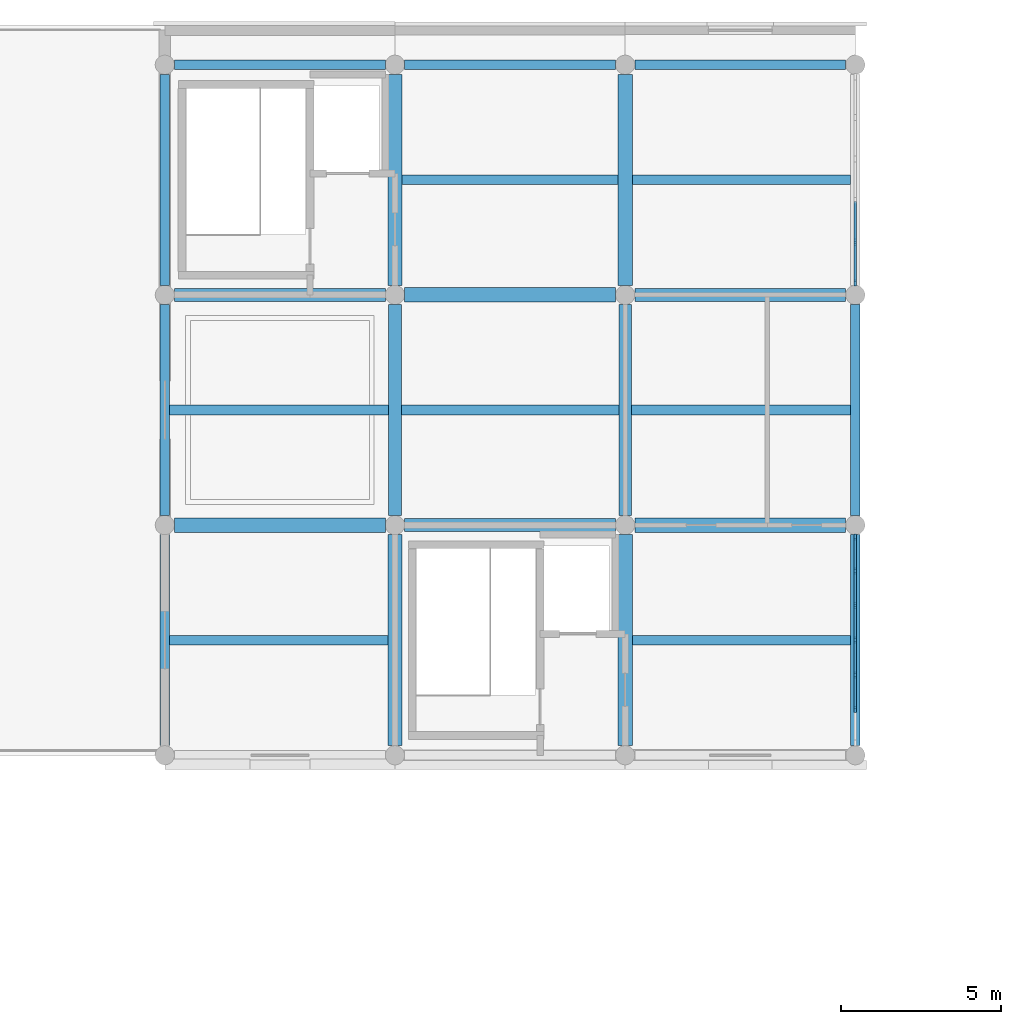
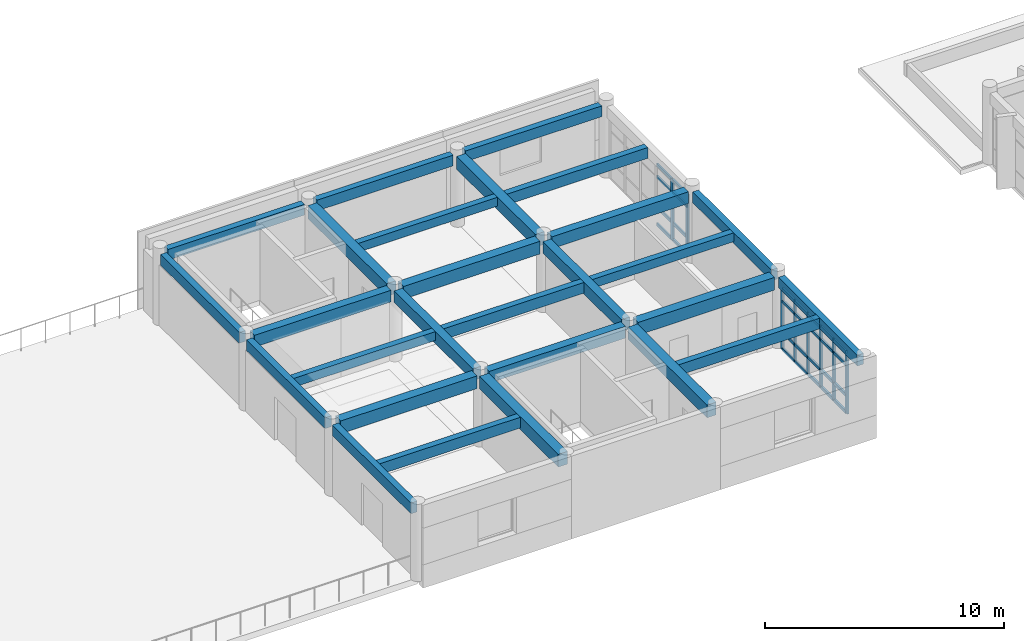
# One storey, part 4 of 16: 36 members, 27 beams, 2 elements without a shape of their own.
"""IFC4 building model written with IfcOpenShell, lengths in metres."""

from ifc_helpers import new_model, si_unit, direction, frame, origin, origin_2d, place, context, subcontext, project, spatial, rectangle, extrude, material, layer, layer_set, material_profile, profile_set, type_object, element, aggregate, save


model = new_model("IFC4")

# Units and contexts
model_context = context("Model", 3, precision=1e-05, world=origin(), true_north=direction((0.0, 1.0)))
body_context = subcontext(model_context, "Body", "Model", "MODEL_VIEW")
ifc_project = project(units=[si_unit("LENGTHUNIT", "METRE"), si_unit("AREAUNIT", "SQUARE_METRE"), si_unit("VOLUMEUNIT", "CUBIC_METRE"), si_unit("PLANEANGLEUNIT", "RADIAN"), si_unit("MASSUNIT", "GRAM", prefix="KILO")], contexts=[model_context])

# Site, building, storey
site_placement = place(None, origin())
site = spatial("IfcSite", under=ifc_project, at=site_placement, CompositionType="ELEMENT")
building_placement = place(site_placement, origin())
building = spatial("IfcBuilding", under=site, at=building_placement, Name="Kavelor Marine Aquarium", CompositionType="ELEMENT")
storey_placement = place(building_placement, frame((0.0, 0.0, 21.60009765625)))
storey = spatial("IfcBuildingStorey", under=building, at=storey_placement, Name="L05", CompositionType="ELEMENT", Elevation=21.60009765625)

# Beams
ifc_material_1 = material(Name="Concrete C40/50", Category="concrete")
ifc_material_profile_1 = material_profile(ifc_material_1, rectangle(XDim=0.449951171875, YDim=0.64990234375, at=origin_2d()), Name="RC-BM 450x650")
ifc_profile_set_1 = profile_set([ifc_material_profile_1], Name="Concrete C40/50")
beam_type_1 = type_object("IfcBeamType", Name="BM-B3", PredefinedType="BEAM", material=ifc_profile_set_1)
for number, where, z_axis, x_axis, name in (
    (1, (82.699951171875, 96.39990234375, 3.35498046875), (1.0, 0.0, 0.0), (0.0, 1.0, 0.0), "bm:x:L05:RF:11_13"),
    (2, (89.89990234375, 103.60009765625, 3.35498046875), (1.0, 0.0, 0.0), (0.0, 1.0, 0.0), "bm:x:L05:RF:12_14"),
):
    element("IfcBeam", number, at=place(storey_placement, frame(where, z_axis=z_axis, x_axis=x_axis)), inside=storey, type_object=beam_type_1, Name=name, PredefinedType="BEAM", context=body_context, shape_type="SweptSolid", body=[
        extrude(rectangle(XDim=0.449951171875, YDim=0.64990234375, at=origin_2d()), origin(), (0.0, 0.0, 1.0), 6.60009765625),
    ])
beam_1_placement = place(storey_placement, frame((97.10009765625, 96.39990234375, 3.35498046875), z_axis=(1.0, 0.0, 0.0), x_axis=(0.0, 1.0, 0.0)))
element("IfcBeam", 3, at=beam_1_placement, inside=storey, type_object=beam_type_1, Name="bm:x:L05:RF:13_13", PredefinedType="BEAM", context=body_context, shape_type="SweptSolid", body=[
    extrude(rectangle(XDim=0.449951171875, YDim=0.64990234375, at=origin_2d()), origin(), (0.0, 0.0, 1.0), 6.599853515625),
])
for number, where, z_axis, x_axis, name in (
    (4, (89.60009765625, 89.5, 3.35498046875), (0.0, 1.0, 0.0), (-1.0, 0.0, 0.0), "bm:y:L05:RF:12_12"),
    (5, (89.60009765625, 103.89990234375, 3.35498046875), (0.0, 1.0, 0.0), (-1.0, 0.0, 0.0), "bm:y:L05:RF:12_14"),
    (6, (96.800048828125, 89.5, 3.35498046875), (0.0, 1.0, 0.0), (-1.0, 0.0, 0.0), "bm:y:L05:RF:13_12"),
    (7, (96.800048828125, 103.89990234375, 3.35498046875), (0.0, 1.0, 0.0), (-1.0, 0.0, 0.0), "bm:y:L05:RF:13_14"),
):
    element("IfcBeam", number, at=place(storey_placement, frame(where, z_axis=z_axis, x_axis=x_axis)), inside=storey, type_object=beam_type_1, Name=name, PredefinedType="BEAM", context=body_context, shape_type="SweptSolid", body=[
        extrude(rectangle(XDim=0.449951171875, YDim=0.64990234375, at=origin_2d()), origin(), (0.0, 0.0, 1.0), 6.60009765625),
    ])
ifc_material_2 = material(Name="Concrete C40/50", Category="concrete")
ifc_material_profile_2 = material_profile(ifc_material_2, rectangle(XDim=0.39990234375, YDim=0.60009765625, at=origin_2d()), Name="RC-BM 400x600")
ifc_profile_set_2 = profile_set([ifc_material_profile_2], Name="Concrete C40/50")
beam_type_2 = type_object("IfcBeamType", Name="BM-B4", PredefinedType="BEAM", material=ifc_profile_set_2)
for number, where, z_axis, x_axis, name in (
    (8, (82.699951171875, 103.60009765625, 3.3798828125), (1.0, 0.0, 0.0), (0.0, 1.0, 0.0), "bm:x:L05:RF:11_14"),
    (9, (89.89990234375, 96.39990234375, 3.3798828125), (1.0, 0.0, 0.0), (0.0, 1.0, 0.0), "bm:x:L05:RF:12_13"),
):
    element("IfcBeam", number, at=place(storey_placement, frame(where, z_axis=z_axis, x_axis=x_axis)), inside=storey, type_object=beam_type_2, Name=name, PredefinedType="BEAM", context=body_context, shape_type="SweptSolid", body=[
        extrude(rectangle(XDim=0.39990234375, YDim=0.60009765625, at=origin_2d()), origin(), (0.0, 0.0, 1.0), 6.60009765625),
    ])
beam_2_placement = place(storey_placement, frame((97.10009765625, 103.60009765625, 3.3798828125), z_axis=(1.0, 0.0, 0.0), x_axis=(0.0, 1.0, 0.0)))
element("IfcBeam", 10, at=beam_2_placement, inside=storey, type_object=beam_type_2, Name="bm:x:L05:RF:13_14", PredefinedType="BEAM", context=body_context, shape_type="SweptSolid", body=[
    extrude(rectangle(XDim=0.39990234375, YDim=0.60009765625, at=origin_2d()), origin(), (0.0, 0.0, 1.0), 6.599853515625),
])
for number, where, z_axis, x_axis, name in (
    (11, (89.60009765625, 96.699951171875, 3.3798828125), (0.0, 1.0, 0.0), (-1.0, 0.0, 0.0), "bm:y:L05:RF:12_13"),
    (12, (96.800048828125, 96.699951171875, 3.3798828125), (0.0, 1.0, 0.0), (-1.0, 0.0, 0.0), "bm:y:L05:RF:13_13"),
):
    element("IfcBeam", number, at=place(storey_placement, frame(where, z_axis=z_axis, x_axis=x_axis)), inside=storey, type_object=beam_type_2, Name=name, PredefinedType="BEAM", context=body_context, shape_type="SweptSolid", body=[
        extrude(rectangle(XDim=0.39990234375, YDim=0.60009765625, at=origin_2d()), origin(), (0.0, 0.0, 1.0), 6.60009765625),
    ])
ifc_material_3 = material(Name="Concrete C40/50", Category="concrete")
ifc_material_profile_3 = material_profile(ifc_material_3, rectangle(XDim=0.300048828125, YDim=0.449951171875, at=origin_2d()), Name="RC-JS 300x450")
ifc_profile_set_3 = profile_set([ifc_material_profile_3], Name="Concrete C40/50")
beam_type_3 = type_object("IfcBeamType", Name="BM-JS1", PredefinedType="JOIST", material=ifc_profile_set_3)
beam_3_placement = place(storey_placement, frame((82.550048828125, 100.0, 3.454833984375), z_axis=(1.0, 0.0, 0.0), x_axis=(0.0, 1.0, 0.0)))
element("IfcBeam", 13, at=beam_3_placement, inside=storey, type_object=beam_type_3, Name="js:L05:RF:11_13", PredefinedType="JOIST", context=body_context, shape_type="SweptSolid", body=[
    extrude(rectangle(XDim=0.300048828125, YDim=0.449951171875, at=origin_2d()), origin(), (0.0, 0.0, 1.0), 6.849853515625),
])
beam_4_placement = place(storey_placement, frame((89.824951171875, 107.199951171875, 3.454833984375), z_axis=(1.0, 0.0, 0.0), x_axis=(0.0, 1.0, 0.0)))
element("IfcBeam", 14, at=beam_4_placement, inside=storey, type_object=beam_type_3, Name="js:L05:RF:12_14", PredefinedType="JOIST", context=body_context, shape_type="SweptSolid", body=[
    extrude(rectangle(XDim=0.300048828125, YDim=0.449951171875, at=origin_2d()), origin(), (0.0, 0.0, 1.0), 6.75),
])
beam_5_placement = place(storey_placement, frame((97.0, 100.0, 3.454833984375), z_axis=(1.0, 0.0, 0.0), x_axis=(0.0, 1.0, 0.0)))
element("IfcBeam", 15, at=beam_5_placement, inside=storey, type_object=beam_type_3, Name="js:L05:RF:13_13", PredefinedType="JOIST", context=body_context, shape_type="SweptSolid", body=[
    extrude(rectangle(XDim=0.300048828125, YDim=0.449951171875, at=origin_2d()), origin(), (0.0, 0.0, 1.0), 6.85009765625),
])
ifc_material_4 = material(Name="Concrete C40/50", Category="concrete")
ifc_material_profile_4 = material_profile(ifc_material_4, rectangle(XDim=0.300048828125, YDim=0.550048828125, at=origin_2d()), Name="RC-JS 300x550")
ifc_profile_set_4 = profile_set([ifc_material_profile_4], Name="Concrete C40/50")
beam_type_4 = type_object("IfcBeamType", Name="BM-JS2", PredefinedType="JOIST", material=ifc_profile_set_4)
beam_6_placement = place(storey_placement, frame((82.550048828125, 92.800048828125, 3.40478515625), z_axis=(1.0, 0.0, 0.0), x_axis=(0.0, 1.0, 0.0)))
element("IfcBeam", 16, at=beam_6_placement, inside=storey, type_object=beam_type_4, Name="js:L05:RF:11_12", PredefinedType="JOIST", context=body_context, shape_type="SweptSolid", body=[
    extrude(rectangle(XDim=0.300048828125, YDim=0.550048828125, at=origin_2d()), origin(), (0.0, 0.0, 1.0), 6.824951171875),
])
beam_7_placement = place(storey_placement, frame((89.800048828125, 100.0, 3.40478515625), z_axis=(1.0, 0.0, 0.0), x_axis=(0.0, 1.0, 0.0)))
element("IfcBeam", 17, at=beam_7_placement, inside=storey, type_object=beam_type_4, Name="js:L05:RF:12_13", PredefinedType="JOIST", context=body_context, shape_type="SweptSolid", body=[
    extrude(rectangle(XDim=0.300048828125, YDim=0.550048828125, at=origin_2d()), origin(), (0.0, 0.0, 1.0), 6.800048828125),
])
for number, where, z_axis, x_axis, name in (
    (18, (97.02490234375, 92.800048828125, 3.40478515625), (1.0, 0.0, 0.0), (0.0, 1.0, 0.0), "js:L05:RF:13_12"),
    (19, (97.02490234375, 107.199951171875, 3.40478515625), (1.0, 0.0, 0.0), (0.0, 1.0, 0.0), "js:L05:RF:13_14"),
):
    element("IfcBeam", number, at=place(storey_placement, frame(where, z_axis=z_axis, x_axis=x_axis)), inside=storey, type_object=beam_type_4, Name=name, PredefinedType="JOIST", context=body_context, shape_type="SweptSolid", body=[
        extrude(rectangle(XDim=0.300048828125, YDim=0.550048828125, at=origin_2d()), origin(), (0.0, 0.0, 1.0), 6.8251953125),
    ])
ifc_material_5 = material(Name="Concrete C40/50", Category="concrete")
ifc_material_profile_5 = material_profile(ifc_material_5, rectangle(XDim=0.300048828125, YDim=0.550048828125, at=origin_2d()), Name="RC-SP 300x550")
ifc_profile_set_5 = profile_set([ifc_material_profile_5], Name="Concrete C40/50")
beam_type_5 = type_object("IfcBeamType", Name="BM-SP2", PredefinedType="SPANDREL", material=ifc_profile_set_5)
for number, where, z_axis, x_axis, name in (
    (20, (82.699951171875, 110.800048828125, 3.40478515625), (1.0, 0.0, 0.0), (0.0, 1.0, 0.0), "bm:x:L05:RF:11_15"),
    (21, (89.89990234375, 110.800048828125, 3.40478515625), (1.0, 0.0, 0.0), (0.0, 1.0, 0.0), "bm:x:L05:RF:12_15"),
):
    element("IfcBeam", number, at=place(storey_placement, frame(where, z_axis=z_axis, x_axis=x_axis)), inside=storey, type_object=beam_type_5, Name=name, PredefinedType="SPANDREL", context=body_context, shape_type="SweptSolid", body=[
        extrude(rectangle(XDim=0.300048828125, YDim=0.550048828125, at=origin_2d()), origin(), (0.0, 0.0, 1.0), 6.60009765625),
    ])
beam_8_placement = place(storey_placement, frame((97.10009765625, 110.800048828125, 3.40478515625), z_axis=(1.0, 0.0, 0.0), x_axis=(0.0, 1.0, 0.0)))
element("IfcBeam", 22, at=beam_8_placement, inside=storey, type_object=beam_type_5, Name="bm:x:L05:RF:13_15", PredefinedType="SPANDREL", context=body_context, shape_type="SweptSolid", body=[
    extrude(rectangle(XDim=0.300048828125, YDim=0.550048828125, at=origin_2d()), origin(), (0.0, 0.0, 1.0), 6.599853515625),
])
for number, where, z_axis, x_axis, name in (
    (23, (82.39990234375, 89.5, 3.40478515625), (0.0, 1.0, 0.0), (-1.0, 0.0, 0.0), "bm:y:L05:RF:11_12"),
    (24, (82.39990234375, 96.699951171875, 3.40478515625), (0.0, 1.0, 0.0), (-1.0, 0.0, 0.0), "bm:y:L05:RF:11_13"),
    (25, (82.39990234375, 103.89990234375, 3.40478515625), (0.0, 1.0, 0.0), (-1.0, 0.0, 0.0), "bm:y:L05:RF:11_14"),
    (26, (104.0, 89.5, 3.40478515625), (0.0, 1.0, 0.0), (-1.0, 0.0, 0.0), "bm:y:L05:RF:14_12"),
    (27, (104.0, 96.699951171875, 3.40478515625), (0.0, 1.0, 0.0), (-1.0, 0.0, 0.0), "bm:y:L05:RF:14_13"),
):
    element("IfcBeam", number, at=place(storey_placement, frame(where, z_axis=z_axis, x_axis=x_axis)), inside=storey, type_object=beam_type_5, Name=name, PredefinedType="SPANDREL", context=body_context, shape_type="SweptSolid", body=[
        extrude(rectangle(XDim=0.300048828125, YDim=0.550048828125, at=origin_2d()), origin(), (0.0, 0.0, 1.0), 6.60009765625),
    ])

# Curtain wall, members
ifc_material_6 = material(Name="Thermally Broken Aluminium and Low-E Glass", Category="aluminium")
ifc_layer_1 = layer(ifc_material_6, 0.179931640625)
ifc_layer_set_1 = layer_set([ifc_layer_1], Name="CW-SYS5")
curtain_wall_type_1 = type_object("IfcCurtainWallType", Name="CW-SYS5", PredefinedType="USERDEFINED", material=ifc_layer_set_1)
curtain_wall_1_placement = place(storey_placement, origin())
curtain_wall_1 = element("IfcCurtainWall", 28, at=curtain_wall_1_placement, inside=storey, type_object=curtain_wall_type_1, Name="cw:y:L05:14_12", ObjectType="Curtain Wall", PredefinedType="USERDEFINED")
ifc_material_7 = material(Name="Anodised Aluminium Alloy 6063-T6", Category="aluminium")
ifc_material_profile_6 = material_profile(ifc_material_7, rectangle(XDim=0.080078125, YDim=0.18505859375, at=origin_2d()), Name="CW-MUL 80x185")
ifc_profile_set_6 = profile_set([ifc_material_profile_6], Name="Anodised Aluminium Alloy 6063-T6")
member_type_1 = type_object("IfcMemberType", Name="CWM-2", PredefinedType="MULLION", material=ifc_profile_set_6)
member_1_placement = place(storey_placement, frame((104.0, 90.6298828125, 0.0), z_axis=(0.0, 0.0, 1.0), x_axis=(-1.0, 0.0, 0.0)))
member_1 = element("IfcMember", 29, at=member_1_placement, type_object=member_type_1, Name="CW05 mullion 2", PredefinedType="MULLION", context=body_context, shape_type="SweptSolid", body=[
    extrude(rectangle(XDim=0.080078125, YDim=0.18505859375, at=origin_2d()), origin(), (0.0, 0.0, 1.0), 3.119873046875),
])
member_2_placement = place(storey_placement, frame((104.0, 91.715087890625, 0.0), z_axis=(0.0, 0.0, 1.0), x_axis=(-1.0, 0.0, 0.0)))
member_2 = element("IfcMember", 30, at=member_2_placement, type_object=member_type_1, Name="CW05 mullion 3", PredefinedType="MULLION", context=body_context, shape_type="SweptSolid", body=[
    extrude(rectangle(XDim=0.080078125, YDim=0.18505859375, at=origin_2d()), origin(), (0.0, 0.0, 1.0), 3.119873046875),
])
member_3_placement = place(storey_placement, frame((104.0, 92.800048828125, 0.0), z_axis=(0.0, 0.0, 1.0), x_axis=(-1.0, 0.0, 0.0)))
member_3 = element("IfcMember", 31, at=member_3_placement, type_object=member_type_1, Name="CW05 mullion 4", PredefinedType="MULLION", context=body_context, shape_type="SweptSolid", body=[
    extrude(rectangle(XDim=0.080078125, YDim=0.18505859375, at=origin_2d()), origin(), (0.0, 0.0, 1.0), 3.119873046875),
])
member_4_placement = place(storey_placement, frame((104.0, 93.885009765625, 0.0), z_axis=(0.0, 0.0, 1.0), x_axis=(-1.0, 0.0, 0.0)))
member_4 = element("IfcMember", 32, at=member_4_placement, type_object=member_type_1, Name="CW05 mullion 5", PredefinedType="MULLION", context=body_context, shape_type="SweptSolid", body=[
    extrude(rectangle(XDim=0.080078125, YDim=0.18505859375, at=origin_2d()), origin(), (0.0, 0.0, 1.0), 3.119873046875),
])
member_5_placement = place(storey_placement, frame((104.0, 94.969970703125, 0.0), z_axis=(0.0, 0.0, 1.0), x_axis=(-1.0, 0.0, 0.0)))
member_5 = element("IfcMember", 33, at=member_5_placement, type_object=member_type_1, Name="CW05 mullion 6", PredefinedType="MULLION", context=body_context, shape_type="SweptSolid", body=[
    extrude(rectangle(XDim=0.080078125, YDim=0.18505859375, at=origin_2d()), origin(), (0.0, 0.0, 1.0), 3.119873046875),
])
member_6_placement = place(storey_placement, frame((104.0, 96.0224609375, 0.0), z_axis=(0.0, 0.0, 1.0), x_axis=(-1.0, 0.0, 0.0)))
member_6 = element("IfcMember", 34, at=member_6_placement, type_object=member_type_1, Name="CW05 mullion 7", PredefinedType="MULLION", context=body_context, shape_type="SweptSolid", body=[
    extrude(rectangle(XDim=0.080078125, YDim=0.18505859375, at=origin_2d()), origin(), (0.0, 0.0, 1.0), 3.119873046875),
])

ifc_material_8 = material(Name="Thermally Broken Aluminium and Low-E Glass", Category="aluminium")
ifc_layer_2 = layer(ifc_material_8, 0.18798828125)
ifc_layer_set_2 = layer_set([ifc_layer_2], Name="CW-SYS6")
curtain_wall_type_2 = type_object("IfcCurtainWallType", Name="CW-SYS6", PredefinedType="USERDEFINED", material=ifc_layer_set_2)
curtain_wall_2_placement = place(storey_placement, origin())
curtain_wall_2 = element("IfcCurtainWall", 35, at=curtain_wall_2_placement, inside=storey, type_object=curtain_wall_type_2, Name="cw:y:L05:14_14", ObjectType="Curtain Wall", PredefinedType="USERDEFINED")
ifc_material_9 = material(Name="Anodised Aluminium Alloy 6063-T6", Category="aluminium")
ifc_material_profile_7 = material_profile(ifc_material_9, rectangle(XDim=0.0849609375, YDim=0.18994140625, at=origin_2d()), Name="CW-MUL 85x190")
ifc_profile_set_7 = profile_set([ifc_material_profile_7], Name="Anodised Aluminium Alloy 6063-T6")
member_type_2 = type_object("IfcMemberType", Name="CWM-3", PredefinedType="MULLION", material=ifc_profile_set_7)
member_7_placement = place(storey_placement, frame((104.0, 103.97509765625, 0.0), z_axis=(0.0, 0.0, 1.0), x_axis=(-1.0, 0.0, 0.0)))
member_7 = element("IfcMember", 36, at=member_7_placement, type_object=member_type_2, Name="CW06 mullion 1", PredefinedType="MULLION", context=body_context, shape_type="SweptSolid", body=[
    extrude(rectangle(XDim=0.0849609375, YDim=0.18994140625, at=origin_2d()), origin(), (0.0, 0.0, 1.0), 3.119873046875),
])
member_8_placement = place(storey_placement, frame((104.0, 105.2470703125, 0.0), z_axis=(0.0, 0.0, 1.0), x_axis=(-1.0, 0.0, 0.0)))
member_8 = element("IfcMember", 37, at=member_8_placement, type_object=member_type_2, Name="CW06 mullion 2", PredefinedType="MULLION", context=body_context, shape_type="SweptSolid", body=[
    extrude(rectangle(XDim=0.0849609375, YDim=0.18994140625, at=origin_2d()), origin(), (0.0, 0.0, 1.0), 3.119873046875),
])
ifc_material_10 = material(Name="Anodised Aluminium Alloy 6063-T6", Category="aluminium")
ifc_material_profile_8 = material_profile(ifc_material_10, rectangle(XDim=0.074951171875, YDim=0.14990234375, at=origin_2d()), Name="CW-TRN 75x150")
ifc_profile_set_8 = profile_set([ifc_material_profile_8], Name="Anodised Aluminium Alloy 6063-T6")
member_type_3 = type_object("IfcMemberType", Name="CWT-1", PredefinedType="USERDEFINED", material=ifc_profile_set_8)
member_9_placement = place(storey_placement, frame((104.0, 104.0048828125, 0.037353515625), z_axis=(0.0, 1.0, 0.0), x_axis=(-1.0, 0.0, 0.0)))
member_9 = element("IfcMember", 38, at=member_9_placement, type_object=member_type_3, Name="CW06 transom 1.1", ObjectType="TRANSOM", PredefinedType="USERDEFINED", context=body_context, shape_type="SweptSolid", body=[
    extrude(rectangle(XDim=0.074951171875, YDim=0.14990234375, at=origin_2d()), origin(), (0.0, 0.0, 1.0), 1.212158203125),
])
member_10_placement = place(storey_placement, frame((104.0, 104.0048828125, 0.89990234375), z_axis=(0.0, 1.0, 0.0), x_axis=(-1.0, 0.0, 0.0)))
member_10 = element("IfcMember", 39, at=member_10_placement, type_object=member_type_3, Name="CW06 transom 1.2", ObjectType="TRANSOM", PredefinedType="USERDEFINED", context=body_context, shape_type="SweptSolid", body=[
    extrude(rectangle(XDim=0.074951171875, YDim=0.14990234375, at=origin_2d()), origin(), (0.0, 0.0, 1.0), 1.212158203125),
])
member_11_placement = place(storey_placement, frame((104.0, 104.0048828125, 2.469970703125), z_axis=(0.0, 1.0, 0.0), x_axis=(-1.0, 0.0, 0.0)))
member_11 = element("IfcMember", 40, at=member_11_placement, type_object=member_type_3, Name="CW06 transom 1.3", ObjectType="TRANSOM", PredefinedType="USERDEFINED", context=body_context, shape_type="SweptSolid", body=[
    extrude(rectangle(XDim=0.074951171875, YDim=0.14990234375, at=origin_2d()), origin(), (0.0, 0.0, 1.0), 1.212158203125),
])
member_12_placement = place(storey_placement, frame((104.0, 104.0048828125, 3.08251953125), z_axis=(0.0, 1.0, 0.0), x_axis=(-1.0, 0.0, 0.0)))
member_12 = element("IfcMember", 41, at=member_12_placement, type_object=member_type_3, Name="CW06 transom 1.4", ObjectType="TRANSOM", PredefinedType="USERDEFINED", context=body_context, shape_type="SweptSolid", body=[
    extrude(rectangle(XDim=0.074951171875, YDim=0.14990234375, at=origin_2d()), origin(), (0.0, 0.0, 1.0), 1.212158203125),
])
member_13_placement = place(storey_placement, frame((104.0, 105.277099609375, 0.037353515625), z_axis=(0.0, 1.0, 0.0), x_axis=(-1.0, 0.0, 0.0)))
member_13 = element("IfcMember", 42, at=member_13_placement, type_object=member_type_3, Name="CW06 transom 2.1", ObjectType="TRANSOM", PredefinedType="USERDEFINED", context=body_context, shape_type="SweptSolid", body=[
    extrude(rectangle(XDim=0.074951171875, YDim=0.14990234375, at=origin_2d()), origin(), (0.0, 0.0, 1.0), 1.241943359375),
])
member_14_placement = place(storey_placement, frame((104.0, 105.277099609375, 0.89990234375), z_axis=(0.0, 1.0, 0.0), x_axis=(-1.0, 0.0, 0.0)))
member_14 = element("IfcMember", 43, at=member_14_placement, type_object=member_type_3, Name="CW06 transom 2.2", ObjectType="TRANSOM", PredefinedType="USERDEFINED", context=body_context, shape_type="SweptSolid", body=[
    extrude(rectangle(XDim=0.074951171875, YDim=0.14990234375, at=origin_2d()), origin(), (0.0, 0.0, 1.0), 1.241943359375),
])
member_15_placement = place(storey_placement, frame((104.0, 105.277099609375, 2.469970703125), z_axis=(0.0, 1.0, 0.0), x_axis=(-1.0, 0.0, 0.0)))
member_15 = element("IfcMember", 44, at=member_15_placement, type_object=member_type_3, Name="CW06 transom 2.3", ObjectType="TRANSOM", PredefinedType="USERDEFINED", context=body_context, shape_type="SweptSolid", body=[
    extrude(rectangle(XDim=0.074951171875, YDim=0.14990234375, at=origin_2d()), origin(), (0.0, 0.0, 1.0), 1.241943359375),
])
member_16_placement = place(storey_placement, frame((104.0, 105.277099609375, 3.08251953125), z_axis=(0.0, 1.0, 0.0), x_axis=(-1.0, 0.0, 0.0)))
member_16 = element("IfcMember", 45, at=member_16_placement, type_object=member_type_3, Name="CW06 transom 2.4", ObjectType="TRANSOM", PredefinedType="USERDEFINED", context=body_context, shape_type="SweptSolid", body=[
    extrude(rectangle(XDim=0.074951171875, YDim=0.14990234375, at=origin_2d()), origin(), (0.0, 0.0, 1.0), 1.241943359375),
])
aggregate(curtain_wall_2, [member_7, member_8, member_9, member_10, member_11, member_12, member_13, member_14, member_15, member_16])

# Member
ifc_material_11 = material(Name="Anodised Aluminium Alloy 6063-T6", Category="aluminium")
ifc_material_profile_9 = material_profile(ifc_material_11, rectangle(XDim=0.0849609375, YDim=0.159912109375, at=origin_2d()), Name="CW-TRN 85x160")
ifc_profile_set_9 = profile_set([ifc_material_profile_9], Name="Anodised Aluminium Alloy 6063-T6")
member_type_4 = type_object("IfcMemberType", Name="CWT-3", PredefinedType="USERDEFINED", material=ifc_profile_set_9)
member_17_placement = place(storey_placement, frame((104.0, 90.66259765625, 0.02978515625), z_axis=(0.0, 1.0, 0.0), x_axis=(-1.0, 0.0, 0.0)))
member_17 = element("IfcMember", 46, at=member_17_placement, type_object=member_type_4, Name="CW05 transom 2.1", ObjectType="TRANSOM", PredefinedType="USERDEFINED", context=body_context, shape_type="SweptSolid", body=[
    extrude(rectangle(XDim=0.0849609375, YDim=0.159912109375, at=origin_2d()), origin(), (0.0, 0.0, 1.0), 1.02001953125),
])

member_18_placement = place(storey_placement, frame((104.0, 90.66259765625, 0.89990234375), z_axis=(0.0, 1.0, 0.0), x_axis=(-1.0, 0.0, 0.0)))
member_18 = element("IfcMember", 47, at=member_18_placement, type_object=member_type_4, Name="CW05 transom 2.2", ObjectType="TRANSOM", PredefinedType="USERDEFINED", context=body_context, shape_type="SweptSolid", body=[
    extrude(rectangle(XDim=0.0849609375, YDim=0.159912109375, at=origin_2d()), origin(), (0.0, 0.0, 1.0), 1.02001953125),
])

member_19_placement = place(storey_placement, frame((104.0, 90.66259765625, 2.469970703125), z_axis=(0.0, 1.0, 0.0), x_axis=(-1.0, 0.0, 0.0)))
member_19 = element("IfcMember", 48, at=member_19_placement, type_object=member_type_4, Name="CW05 transom 2.3", ObjectType="TRANSOM", PredefinedType="USERDEFINED", context=body_context, shape_type="SweptSolid", body=[
    extrude(rectangle(XDim=0.0849609375, YDim=0.159912109375, at=origin_2d()), origin(), (0.0, 0.0, 1.0), 1.02001953125),
])

member_20_placement = place(storey_placement, frame((104.0, 90.66259765625, 3.08984375), z_axis=(0.0, 1.0, 0.0), x_axis=(-1.0, 0.0, 0.0)))
member_20 = element("IfcMember", 49, at=member_20_placement, type_object=member_type_4, Name="CW05 transom 2.4", ObjectType="TRANSOM", PredefinedType="USERDEFINED", context=body_context, shape_type="SweptSolid", body=[
    extrude(rectangle(XDim=0.0849609375, YDim=0.159912109375, at=origin_2d()), origin(), (0.0, 0.0, 1.0), 1.02001953125),
])

member_21_placement = place(storey_placement, frame((104.0, 91.74755859375, 0.02978515625), z_axis=(0.0, 1.0, 0.0), x_axis=(-1.0, 0.0, 0.0)))
member_21 = element("IfcMember", 50, at=member_21_placement, type_object=member_type_4, Name="CW05 transom 3.1", ObjectType="TRANSOM", PredefinedType="USERDEFINED", context=body_context, shape_type="SweptSolid", body=[
    extrude(rectangle(XDim=0.0849609375, YDim=0.159912109375, at=origin_2d()), origin(), (0.0, 0.0, 1.0), 1.02001953125),
])

member_22_placement = place(storey_placement, frame((104.0, 91.74755859375, 0.89990234375), z_axis=(0.0, 1.0, 0.0), x_axis=(-1.0, 0.0, 0.0)))
member_22 = element("IfcMember", 51, at=member_22_placement, type_object=member_type_4, Name="CW05 transom 3.2", ObjectType="TRANSOM", PredefinedType="USERDEFINED", context=body_context, shape_type="SweptSolid", body=[
    extrude(rectangle(XDim=0.0849609375, YDim=0.159912109375, at=origin_2d()), origin(), (0.0, 0.0, 1.0), 1.02001953125),
])

member_23_placement = place(storey_placement, frame((104.0, 91.74755859375, 2.469970703125), z_axis=(0.0, 1.0, 0.0), x_axis=(-1.0, 0.0, 0.0)))
member_23 = element("IfcMember", 52, at=member_23_placement, type_object=member_type_4, Name="CW05 transom 3.3", ObjectType="TRANSOM", PredefinedType="USERDEFINED", context=body_context, shape_type="SweptSolid", body=[
    extrude(rectangle(XDim=0.0849609375, YDim=0.159912109375, at=origin_2d()), origin(), (0.0, 0.0, 1.0), 1.02001953125),
])

member_24_placement = place(storey_placement, frame((104.0, 91.74755859375, 3.08984375), z_axis=(0.0, 1.0, 0.0), x_axis=(-1.0, 0.0, 0.0)))
member_24 = element("IfcMember", 53, at=member_24_placement, type_object=member_type_4, Name="CW05 transom 3.4", ObjectType="TRANSOM", PredefinedType="USERDEFINED", context=body_context, shape_type="SweptSolid", body=[
    extrude(rectangle(XDim=0.0849609375, YDim=0.159912109375, at=origin_2d()), origin(), (0.0, 0.0, 1.0), 1.02001953125),
])

member_25_placement = place(storey_placement, frame((104.0, 92.83251953125, 0.02978515625), z_axis=(0.0, 1.0, 0.0), x_axis=(-1.0, 0.0, 0.0)))
member_25 = element("IfcMember", 54, at=member_25_placement, type_object=member_type_4, Name="CW05 transom 4.1", ObjectType="TRANSOM", PredefinedType="USERDEFINED", context=body_context, shape_type="SweptSolid", body=[
    extrude(rectangle(XDim=0.0849609375, YDim=0.159912109375, at=origin_2d()), origin(), (0.0, 0.0, 1.0), 1.02001953125),
])

member_26_placement = place(storey_placement, frame((104.0, 92.83251953125, 0.89990234375), z_axis=(0.0, 1.0, 0.0), x_axis=(-1.0, 0.0, 0.0)))
member_26 = element("IfcMember", 55, at=member_26_placement, type_object=member_type_4, Name="CW05 transom 4.2", ObjectType="TRANSOM", PredefinedType="USERDEFINED", context=body_context, shape_type="SweptSolid", body=[
    extrude(rectangle(XDim=0.0849609375, YDim=0.159912109375, at=origin_2d()), origin(), (0.0, 0.0, 1.0), 1.02001953125),
])

member_27_placement = place(storey_placement, frame((104.0, 92.83251953125, 2.469970703125), z_axis=(0.0, 1.0, 0.0), x_axis=(-1.0, 0.0, 0.0)))
member_27 = element("IfcMember", 56, at=member_27_placement, type_object=member_type_4, Name="CW05 transom 4.3", ObjectType="TRANSOM", PredefinedType="USERDEFINED", context=body_context, shape_type="SweptSolid", body=[
    extrude(rectangle(XDim=0.0849609375, YDim=0.159912109375, at=origin_2d()), origin(), (0.0, 0.0, 1.0), 1.02001953125),
])

member_28_placement = place(storey_placement, frame((104.0, 92.83251953125, 3.08984375), z_axis=(0.0, 1.0, 0.0), x_axis=(-1.0, 0.0, 0.0)))
member_28 = element("IfcMember", 57, at=member_28_placement, type_object=member_type_4, Name="CW05 transom 4.4", ObjectType="TRANSOM", PredefinedType="USERDEFINED", context=body_context, shape_type="SweptSolid", body=[
    extrude(rectangle(XDim=0.0849609375, YDim=0.159912109375, at=origin_2d()), origin(), (0.0, 0.0, 1.0), 1.02001953125),
])

member_29_placement = place(storey_placement, frame((104.0, 93.91748046875, 0.02978515625), z_axis=(0.0, 1.0, 0.0), x_axis=(-1.0, 0.0, 0.0)))
member_29 = element("IfcMember", 58, at=member_29_placement, type_object=member_type_4, Name="CW05 transom 5.1", ObjectType="TRANSOM", PredefinedType="USERDEFINED", context=body_context, shape_type="SweptSolid", body=[
    extrude(rectangle(XDim=0.0849609375, YDim=0.159912109375, at=origin_2d()), origin(), (0.0, 0.0, 1.0), 1.02001953125),
])

member_30_placement = place(storey_placement, frame((104.0, 93.91748046875, 0.89990234375), z_axis=(0.0, 1.0, 0.0), x_axis=(-1.0, 0.0, 0.0)))
member_30 = element("IfcMember", 59, at=member_30_placement, type_object=member_type_4, Name="CW05 transom 5.2", ObjectType="TRANSOM", PredefinedType="USERDEFINED", context=body_context, shape_type="SweptSolid", body=[
    extrude(rectangle(XDim=0.0849609375, YDim=0.159912109375, at=origin_2d()), origin(), (0.0, 0.0, 1.0), 1.02001953125),
])

member_31_placement = place(storey_placement, frame((104.0, 93.91748046875, 2.469970703125), z_axis=(0.0, 1.0, 0.0), x_axis=(-1.0, 0.0, 0.0)))
member_31 = element("IfcMember", 60, at=member_31_placement, type_object=member_type_4, Name="CW05 transom 5.3", ObjectType="TRANSOM", PredefinedType="USERDEFINED", context=body_context, shape_type="SweptSolid", body=[
    extrude(rectangle(XDim=0.0849609375, YDim=0.159912109375, at=origin_2d()), origin(), (0.0, 0.0, 1.0), 1.02001953125),
])

member_32_placement = place(storey_placement, frame((104.0, 93.91748046875, 3.08984375), z_axis=(0.0, 1.0, 0.0), x_axis=(-1.0, 0.0, 0.0)))
member_32 = element("IfcMember", 61, at=member_32_placement, type_object=member_type_4, Name="CW05 transom 5.4", ObjectType="TRANSOM", PredefinedType="USERDEFINED", context=body_context, shape_type="SweptSolid", body=[
    extrude(rectangle(XDim=0.0849609375, YDim=0.159912109375, at=origin_2d()), origin(), (0.0, 0.0, 1.0), 1.02001953125),
])

member_33_placement = place(storey_placement, frame((104.0, 95.00244140625, 0.02978515625), z_axis=(0.0, 1.0, 0.0), x_axis=(-1.0, 0.0, 0.0)))
member_33 = element("IfcMember", 62, at=member_33_placement, type_object=member_type_4, Name="CW05 transom 6.1", ObjectType="TRANSOM", PredefinedType="USERDEFINED", context=body_context, shape_type="SweptSolid", body=[
    extrude(rectangle(XDim=0.0849609375, YDim=0.159912109375, at=origin_2d()), origin(), (0.0, 0.0, 1.0), 0.987548828125),
])

member_34_placement = place(storey_placement, frame((104.0, 95.00244140625, 0.89990234375), z_axis=(0.0, 1.0, 0.0), x_axis=(-1.0, 0.0, 0.0)))
member_34 = element("IfcMember", 63, at=member_34_placement, type_object=member_type_4, Name="CW05 transom 6.2", ObjectType="TRANSOM", PredefinedType="USERDEFINED", context=body_context, shape_type="SweptSolid", body=[
    extrude(rectangle(XDim=0.0849609375, YDim=0.159912109375, at=origin_2d()), origin(), (0.0, 0.0, 1.0), 0.987548828125),
])

member_35_placement = place(storey_placement, frame((104.0, 95.00244140625, 2.469970703125), z_axis=(0.0, 1.0, 0.0), x_axis=(-1.0, 0.0, 0.0)))
member_35 = element("IfcMember", 64, at=member_35_placement, type_object=member_type_4, Name="CW05 transom 6.3", ObjectType="TRANSOM", PredefinedType="USERDEFINED", context=body_context, shape_type="SweptSolid", body=[
    extrude(rectangle(XDim=0.0849609375, YDim=0.159912109375, at=origin_2d()), origin(), (0.0, 0.0, 1.0), 0.987548828125),
])

member_36_placement = place(storey_placement, frame((104.0, 95.00244140625, 3.08984375), z_axis=(0.0, 1.0, 0.0), x_axis=(-1.0, 0.0, 0.0)))
member_36 = element("IfcMember", 65, at=member_36_placement, type_object=member_type_4, Name="CW05 transom 6.4", ObjectType="TRANSOM", PredefinedType="USERDEFINED", context=body_context, shape_type="SweptSolid", body=[
    extrude(rectangle(XDim=0.0849609375, YDim=0.159912109375, at=origin_2d()), origin(), (0.0, 0.0, 1.0), 0.987548828125),
])

aggregate(curtain_wall_1, [member_1, member_2, member_3, member_4, member_5, member_6, member_17, member_18, member_19, member_20, member_21, member_22, member_23, member_24, member_25, member_26, member_27, member_28, member_29, member_30, member_31, member_32, member_33, member_34, member_35, member_36])

save(model, "model.ifc")
